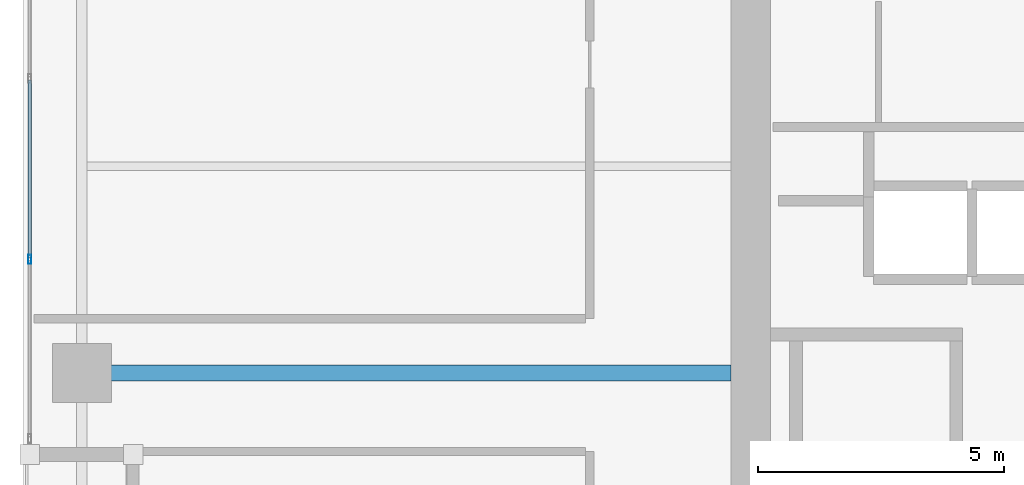
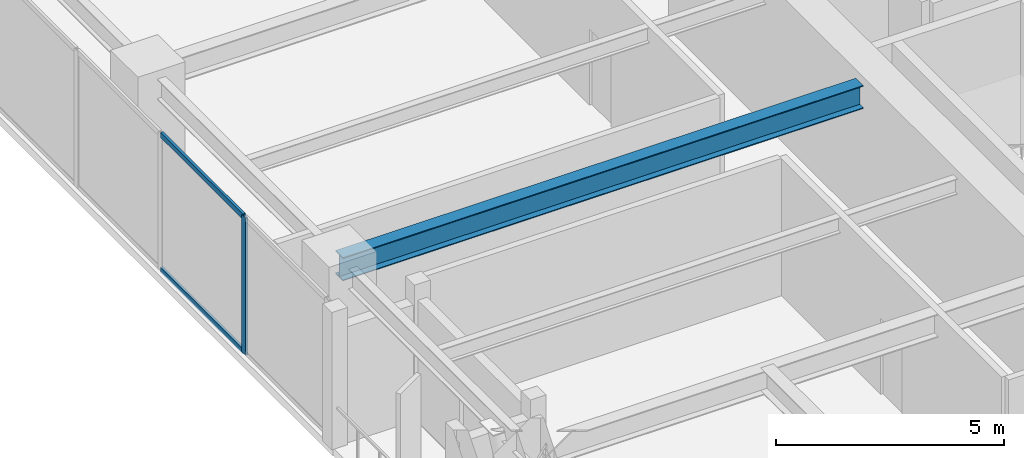
# One storey, part 4 of 30: 3 members, 1 beam, 1 element without a shape of its own.
"""IFC4 building model written with IfcOpenShell, lengths in metres."""

from ifc_helpers import new_model, si_unit, direction, frame, origin, origin_2d, place, context, subcontext, project, spatial, hollow_rectangle, i_section, extrude, material, layer, layer_set, material_profile, profile_set, type_object, element, aggregate, save


model = new_model("IFC4")

# Units and contexts
model_context = context("Model", 3, precision=1e-05, world=origin(), true_north=direction((0.0, 1.0)))
body_context = subcontext(model_context, "Body", "Model", "MODEL_VIEW")
ifc_project = project(units=[si_unit("LENGTHUNIT", "METRE"), si_unit("AREAUNIT", "SQUARE_METRE"), si_unit("VOLUMEUNIT", "CUBIC_METRE"), si_unit("PLANEANGLEUNIT", "RADIAN"), si_unit("MASSUNIT", "GRAM", prefix="KILO")], contexts=[model_context])

# Site, building, storey
site_placement = place(None, origin())
site = spatial("IfcSite", under=ifc_project, at=site_placement, CompositionType="ELEMENT")
building_placement = place(site_placement, origin())
building = spatial("IfcBuilding", under=site, at=building_placement, Name="Kiyonajd Concourse Tower", CompositionType="ELEMENT")
storey_placement = place(building_placement, frame((0.0, 0.0, 174.0)))
storey = spatial("IfcBuildingStorey", under=building, at=storey_placement, Name="L44", CompositionType="ELEMENT", Elevation=174.0)

# Beam
ifc_material_1 = material(Name="Steel ASTM A992 Grade 50", Category="steel")
ifc_material_profile_1 = material_profile(ifc_material_1, i_section(OverallWidth=0.326904296875, OverallDepth=0.6220703125, WebThickness=0.015380859375, FlangeThickness=0.0244140625, at=origin_2d()), Name="W610X195")
ifc_profile_set_1 = profile_set([ifc_material_profile_1], Name="Steel ASTM A992 Grade 50")
beam_type = type_object("IfcBeamType", Name="BM-TWR-610A", PredefinedType="BEAM", material=ifc_profile_set_1)
beam_placement = place(storey_placement, frame((19.199951171875, 36.0, 3.368896484375), z_axis=(1.0, 0.0, 0.0), x_axis=(0.0, 1.0, 0.0)))
element("IfcBeam", 1, at=beam_placement, inside=storey, type_object=beam_type, Name="L44 West Lease Girder", PredefinedType="BEAM", context=body_context, shape_type="SweptSolid", body=[
    extrude(i_section(OverallWidth=0.326904296875, OverallDepth=0.6220703125, WebThickness=0.015380859375, FlangeThickness=0.0244140625, at=origin_2d()), origin(), (0.0, 0.0, 1.0), 13.199951171875),
])

# Curtain wall, members
ifc_material_2 = material(Name="Thermally Broken Anodised Aluminium", Category="aluminium")
ifc_layer = layer(ifc_material_2, 0.179931640625)
ifc_layer_set = layer_set([ifc_layer], Name="Thermally Broken Anodised Aluminium")
curtain_wall_type = type_object("IfcCurtainWallType", Name="CW-SYS-03", PredefinedType="NOTDEFINED", material=ifc_layer_set)
curtain_wall_placement = place(storey_placement, origin())
curtain_wall = element("IfcCurtainWall", 2, at=curtain_wall_placement, inside=storey, type_object=curtain_wall_type, Name="L44 Unitised Curtain Wall CW3", PredefinedType="NOTDEFINED")
ifc_material_profile_2 = material_profile(ifc_material_2, hollow_rectangle(XDim=0.06494140625, YDim=0.179931640625, WallThickness=0.00390625, at=origin_2d()), Name="MULL-65x180")
ifc_profile_set_2 = profile_set([ifc_material_profile_2], Name="Thermally Broken Anodised Aluminium")
member_type_1 = type_object("IfcMemberType", Name="MB-CW-MULL1", PredefinedType="MULLION", material=ifc_profile_set_2)
member_1_placement = place(storey_placement, frame((18.139892578125, 38.306884765625, 0.0), z_axis=(0.0, 0.0, 1.0), x_axis=(-1.0, 0.0, 0.0)))
member_1 = element("IfcMember", 3, at=member_1_placement, type_object=member_type_1, Name="CW3 mullion 2", PredefinedType="MULLION", context=body_context, shape_type="SweptSolid", body=[
    extrude(hollow_rectangle(XDim=0.06494140625, YDim=0.179931640625, WallThickness=0.00390625, at=origin_2d()), origin(), (0.0, 0.0, 1.0), 3.679931640625),
])
ifc_material_profile_3 = material_profile(ifc_material_2, hollow_rectangle(XDim=0.06494140625, YDim=0.139892578125, WallThickness=0.00390625, at=origin_2d()), Name="TRAN-65x140")
ifc_profile_set_3 = profile_set([ifc_material_profile_3], Name="Thermally Broken Anodised Aluminium")
member_type_2 = type_object("IfcMemberType", Name="MB-CW-TRAN1", PredefinedType="USERDEFINED", material=ifc_profile_set_3)
member_2_placement = place(storey_placement, frame((18.139892578125, 38.33935546875, 0.032470703125), z_axis=(0.0, 1.0, 0.0), x_axis=(-1.0, 0.0, 0.0)))
member_2 = element("IfcMember", 4, at=member_2_placement, type_object=member_type_2, Name="CW3 transom 2.1", ObjectType="TRANSOM", PredefinedType="USERDEFINED", context=body_context, shape_type="SweptSolid", body=[
    extrude(hollow_rectangle(XDim=0.06494140625, YDim=0.139892578125, WallThickness=0.00390625, at=origin_2d()), origin(), (0.0, 0.0, 1.0), 3.612060546875),
])
member_3_placement = place(storey_placement, frame((18.139892578125, 38.33935546875, 3.6474609375), z_axis=(0.0, 1.0, 0.0), x_axis=(-1.0, 0.0, 0.0)))
member_3 = element("IfcMember", 5, at=member_3_placement, type_object=member_type_2, Name="CW3 transom 2.2", ObjectType="TRANSOM", PredefinedType="USERDEFINED", context=body_context, shape_type="SweptSolid", body=[
    extrude(hollow_rectangle(XDim=0.06494140625, YDim=0.139892578125, WallThickness=0.00390625, at=origin_2d()), origin(), (0.0, 0.0, 1.0), 3.612060546875),
])
aggregate(curtain_wall, [member_1, member_2, member_3])

save(model, "model.ifc")
